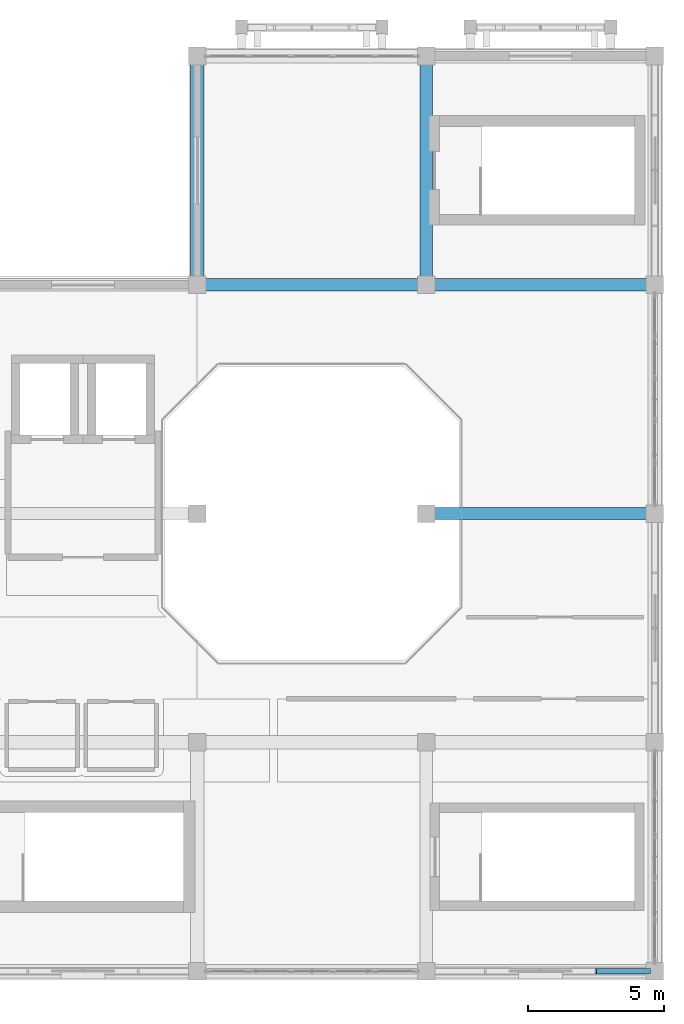
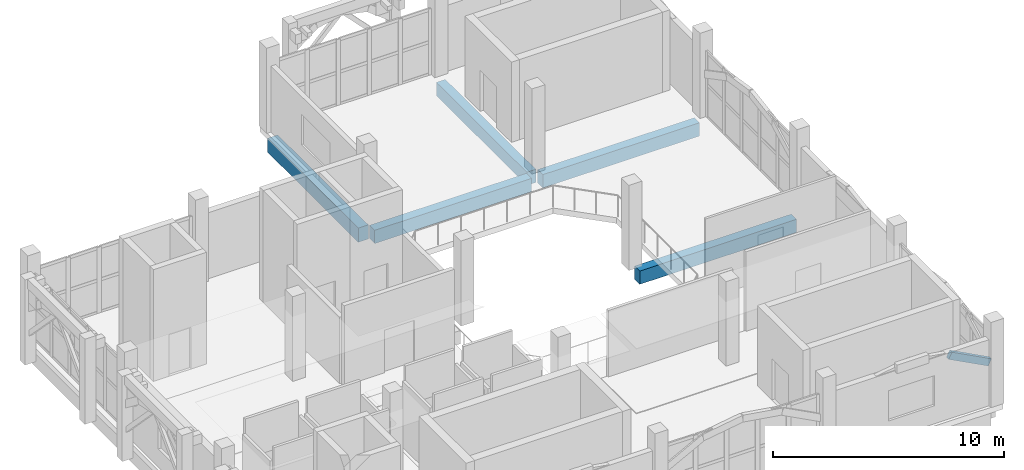
# One storey, part 8 of 16: 5 beams, 1 member.
"""IFC4 building model written with IfcOpenShell, lengths in metres."""

from ifc_helpers import new_model, si_unit, direction, frame, origin, origin_2d, place, context, subcontext, project, spatial, rectangle, extrude, material, material_profile, profile_set, type_object, element, save


model = new_model("IFC4")

# Units and contexts
model_context = context("Model", 3, precision=1e-05, world=origin(), true_north=direction((0.0, 1.0)))
body_context = subcontext(model_context, "Body", "Model", "MODEL_VIEW")
ifc_project = project(units=[si_unit("LENGTHUNIT", "METRE"), si_unit("AREAUNIT", "SQUARE_METRE"), si_unit("VOLUMEUNIT", "CUBIC_METRE"), si_unit("PLANEANGLEUNIT", "RADIAN"), si_unit("MASSUNIT", "GRAM", prefix="KILO")], contexts=[model_context])

# Site, building, storey
site_placement = place(None, origin())
site = spatial("IfcSite", under=ifc_project, at=site_placement, CompositionType="ELEMENT")
building_placement = place(site_placement, origin())
building = spatial("IfcBuilding", under=site, at=building_placement, Name="Xazarin Passage Department Store", CompositionType="ELEMENT")
storey_placement = place(building_placement, frame((0.0, 0.0, 32.39990234375)))
storey = spatial("IfcBuildingStorey", under=building, at=storey_placement, Name="L07", CompositionType="ELEMENT", Elevation=32.39990234375)

# Beams
ifc_material_1 = material(Name="Concrete C35/45", Category="concrete")
ifc_material_profile_1 = material_profile(ifc_material_1, rectangle(XDim=0.449951171875, YDim=0.699951171875, at=origin_2d()), Name="RC 450x700")
ifc_profile_set_1 = profile_set([ifc_material_profile_1], Name="Concrete C35/45")
beam_type_1 = type_object("IfcBeamType", Name="STR-BM-G450x700", PredefinedType="BEAM", material=ifc_profile_set_1)
beam_1_placement = place(storey_placement, frame((25.47998046875, 93.199951171875, -0.64990234375), z_axis=(1.0, 0.0, 0.0), x_axis=(0.0, 1.0, 0.0)))
element("IfcBeam", 1, at=beam_1_placement, inside=storey, type_object=beam_type_1, Name="L07 Grid Beam N/4-5", PredefinedType="BEAM", context=body_context, shape_type="SweptSolid", body=[
    extrude(rectangle(XDim=0.449951171875, YDim=0.699951171875, at=origin_2d()), origin(), (0.0, 0.0, 1.0), 7.840087890625),
])
beam_2_placement = place(storey_placement, frame((17.080078125, 101.60009765625, -0.64990234375), z_axis=(1.0, 0.0, 0.0), x_axis=(0.0, 1.0, 0.0)))
element("IfcBeam", 2, at=beam_2_placement, inside=storey, type_object=beam_type_1, Name="L07 Grid Beam P/3-4", PredefinedType="BEAM", context=body_context, shape_type="SweptSolid", body=[
    extrude(rectangle(XDim=0.449951171875, YDim=0.699951171875, at=origin_2d()), origin(), (0.0, 0.0, 1.0), 7.83984375),
])
for number, where, z_axis, x_axis, name in (
    (3, (25.47998046875, 101.60009765625, -0.64990234375), (1.0, 0.0, 0.0), (0.0, 1.0, 0.0), "L07 Grid Beam P/4-5"),
    (4, (25.199951171875, 101.8798828125, -0.64990234375), (0.0, 1.0, 0.0), (-1.0, 0.0, 0.0), "L07 Grid Beam 4/P-Q"),
):
    element("IfcBeam", number, at=place(storey_placement, frame(where, z_axis=z_axis, x_axis=x_axis)), inside=storey, type_object=beam_type_1, Name=name, PredefinedType="BEAM", context=body_context, shape_type="SweptSolid", body=[
        extrude(rectangle(XDim=0.449951171875, YDim=0.699951171875, at=origin_2d()), origin(), (0.0, 0.0, 1.0), 7.840087890625),
    ])
ifc_material_profile_2 = material_profile(ifc_material_1, rectangle(XDim=0.5, YDim=0.75, at=origin_2d()), Name="RC 500x750")
ifc_profile_set_2 = profile_set([ifc_material_profile_2], Name="Concrete C35/45")
beam_type_2 = type_object("IfcBeamType", Name="STR-BM-SP500x750", PredefinedType="SPANDREL", material=ifc_profile_set_2)
beam_3_placement = place(storey_placement, frame((16.800048828125, 101.8798828125, -0.6748046875), z_axis=(0.0, 1.0, 0.0), x_axis=(-1.0, 0.0, 0.0)))
element("IfcBeam", 5, at=beam_3_placement, inside=storey, type_object=beam_type_2, Name="L07 Grid Beam 3/P-Q", PredefinedType="SPANDREL", context=body_context, shape_type="SweptSolid", body=[
    extrude(rectangle(XDim=0.5, YDim=0.75, at=origin_2d()), origin(), (0.0, 0.0, 1.0), 7.840087890625),
])

# Member
ifc_material_2 = material(Name="Concrete C40/50", Category="concrete")
ifc_material_profile_3 = material_profile(ifc_material_2, rectangle(XDim=0.199951171875, YDim=0.360107421875, at=origin_2d()), Name="RC 200x360")
ifc_profile_set_3 = profile_set([ifc_material_profile_3], Name="Concrete C40/50")
member_type = type_object("IfcMemberType", Name="STR-MEM-ARC360", PredefinedType="CHORD", material=ifc_profile_set_3)
member_placement = place(storey_placement, frame((31.375, 76.39990234375, 3.2705078125), z_axis=(0.88473311603, 0.0, -0.466097965454), x_axis=(0.0, 1.0, 0.0)))
element("IfcMember", 6, at=member_placement, inside=storey, type_object=member_type, Name="L07 V1 Upper Setback Pierced Arch 044.4", PredefinedType="CHORD", context=body_context, shape_type="SweptSolid", body=[
    extrude(rectangle(XDim=0.199951171875, YDim=0.360107421875, at=origin_2d()), origin(), (0.0, 0.0, 1.0), 2.232421875),
])

save(model, "model.ifc")
